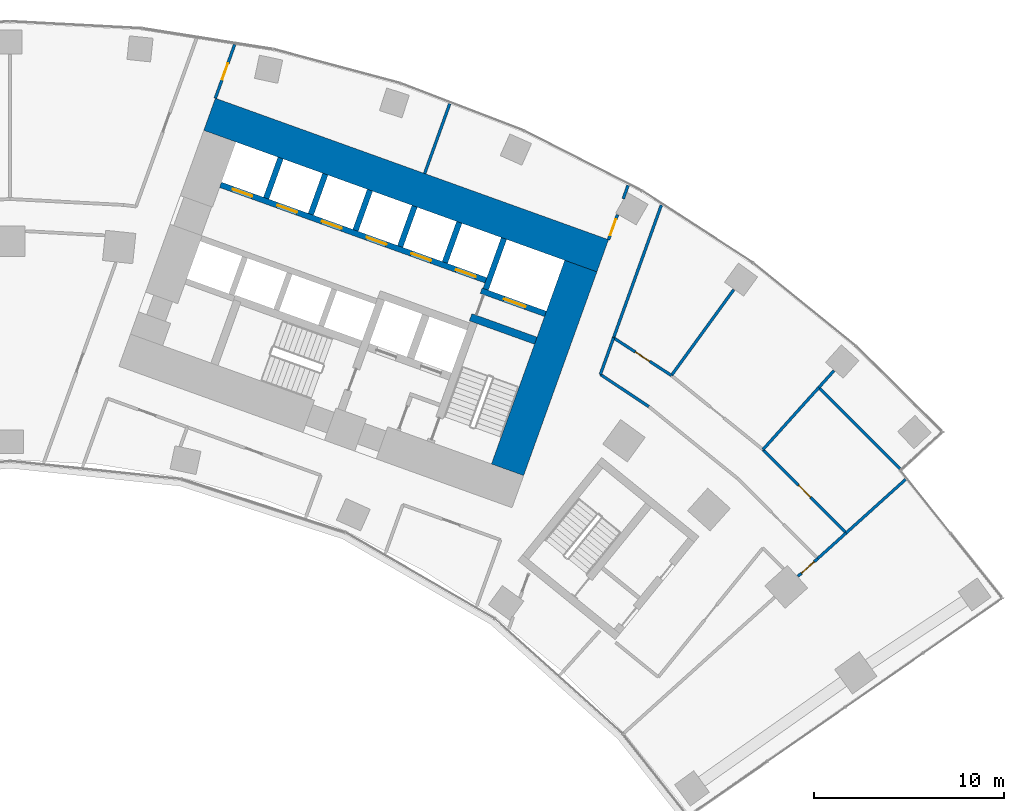
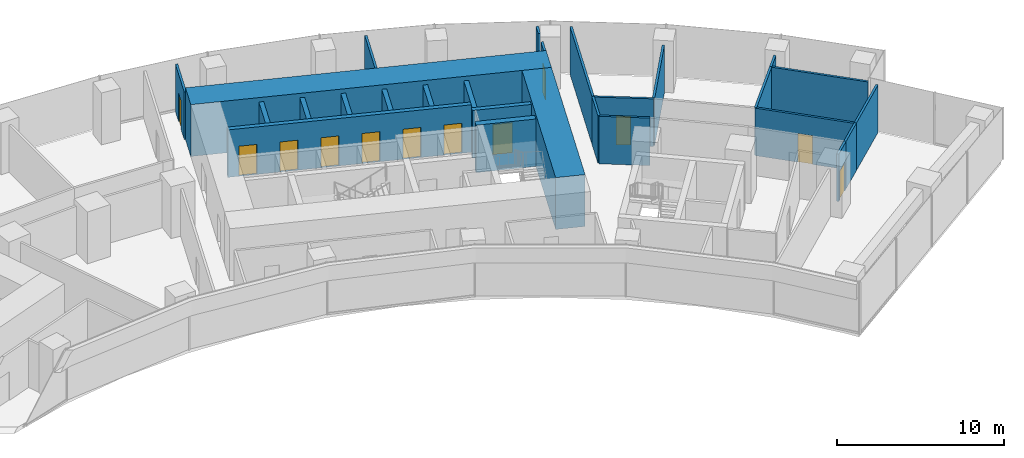
# One storey, part 18 of 21: 27 walls, 12 doors, 12 openings.
"""IFC4 building model written with IfcOpenShell, lengths in metres."""

from ifc_helpers import new_model, si_unit, direction, frame, frame_2d, origin, place, context, subcontext, project, spatial, rectangle, extrude, material, layer, layer_set, type_object, element, fill, save


model = new_model("IFC4")

# Units and contexts
model_context = context("Model", 3, precision=1e-05, world=origin(), true_north=direction((0.0, 1.0)))
body_context = subcontext(model_context, "Body", "Model", "MODEL_VIEW")
ifc_project = project(units=[si_unit("LENGTHUNIT", "METRE"), si_unit("AREAUNIT", "SQUARE_METRE"), si_unit("VOLUMEUNIT", "CUBIC_METRE"), si_unit("PLANEANGLEUNIT", "RADIAN"), si_unit("MASSUNIT", "GRAM", prefix="KILO")], contexts=[model_context])

# Site, building, storey
site_placement = place(None, origin())
site = spatial("IfcSite", under=ifc_project, at=site_placement, CompositionType="ELEMENT")
building_placement = place(site_placement, origin())
building = spatial("IfcBuilding", under=site, at=building_placement, Name="Stone Belt Terrace Tower", CompositionType="ELEMENT")
storey_placement = place(building_placement, frame((0.0, 0.0, 60.39990234375)))
storey = spatial("IfcBuildingStorey", under=building, at=storey_placement, Name="L14", CompositionType="ELEMENT", Elevation=60.39990234375)

# Walls
ifc_material_1 = material(Name="Concrete B80", Category="concrete")
ifc_layer_1 = layer(ifc_material_1, 1.800048828125)
ifc_layer_set_1 = layer_set([ifc_layer_1], Name="Core wall 1800 B80")
wall_type_1 = type_object("IfcWallType", Name="Core wall 1800 B80", PredefinedType="SHEAR", material=ifc_layer_set_1)
wall_1_placement = place(storey_placement, frame((10.509033203125, 61.685546875, 0.0), z_axis=(0.0, 0.0, 1.0), x_axis=(0.940922914687, -0.338620833112, 0.0)))
element("IfcWall", 1, at=wall_1_placement, inside=storey, type_object=wall_type_1, Name="Core B wall convex L14", PredefinedType="SHEAR", context=body_context, shape_type="SweptSolid", body=[
    extrude(rectangle(XDim=22.000244140625, YDim=1.800048828125, at=frame_2d((11.0, 0.0))), origin(), (0.0, 0.0, 1.0), 3.800048828125),
])
wall_2_placement = place(storey_placement, frame((26.197509765625, 42.96728515625, 0.0), z_axis=(0.0, 0.0, 1.0), x_axis=(0.338625431531, 0.940921259788, 0.0)))
element("IfcWall", 2, at=wall_2_placement, inside=storey, type_object=wall_type_1, Name="Core B wall end_b L14", PredefinedType="SHEAR", context=body_context, shape_type="SweptSolid", body=[
    extrude(rectangle(XDim=11.400146484375, YDim=1.800048828125, at=frame_2d((5.7001953125, 0.0))), origin(), (0.0, 0.0, 1.0), 3.800048828125),
])

# Wall, opening, door
ifc_layer_2 = layer(ifc_material_1, 0.300048828125)
ifc_layer_set_2 = layer_set([ifc_layer_2], Name="Lift shaft wall 300")
wall_type_2 = type_object("IfcWallType", Name="Lift shaft wall 300", PredefinedType="SHEAR", material=ifc_layer_set_2)
wall_3_placement = place(storey_placement, frame((28.195068359375, 51.17578125, 0.0), z_axis=(0.0, 0.0, 1.0), x_axis=(-0.940901243567, 0.338681044427, 0.0)))
wall_3 = element("IfcWall", 3, at=wall_3_placement, inside=storey, type_object=wall_type_2, Name="Core B wall", PredefinedType="SHEAR", context=body_context, shape_type="SweptSolid", body=[
    extrude(rectangle(XDim=3.599853515625, YDim=0.300048828125, at=frame_2d((1.7998046875, 0.0))), origin(), (0.0, 0.0, 1.0), 3.47998046875),
])
opening_1_placement = place(wall_3_placement, frame((1.1201171875, 0.0, 0.0)))
opening_1 = element("IfcOpeningElement", 4, at=opening_1_placement, cuts=wall_3, Name="Opening L14-LD18", PredefinedType="OPENING", context=body_context, shape_type="SweptSolid", body=[
    extrude(rectangle(XDim=1.199951171875, YDim=2.199951171875, at=frame_2d((0.60009765625, 1.10009765625))), frame((0.0, 0.159912109375, 0.0), z_axis=(0.0, -1.0, 0.0), x_axis=(1.0, 0.0, 0.0)), (0.0, 0.0, 1.0), 0.320068359375),
])
ifc_material_2 = material(Name="Stainless steel door leaf", Category="steel")
door_type_1 = type_object("IfcDoorType", Name="Landing door 1200", OperationType="SLIDING_TO_LEFT", PredefinedType="DOOR", material=ifc_material_2)
door_1_placement = place(opening_1_placement, origin())
door_1 = element("IfcDoor", 5, at=door_1_placement, inside=storey, type_object=door_type_1, Name="Landing door SV1 core B", OperationType="SLIDING_TO_LEFT", OverallHeight=2.199951171875, OverallWidth=1.199951171875, PredefinedType="DOOR", context=body_context, shape_type="SweptSolid", body=[
    extrude(rectangle(XDim=1.199951171875, YDim=2.199951171875, at=frame_2d((0.60009765625, 1.10009765625))), frame((0.0, 0.02490234375, 0.0), z_axis=(0.0, -1.0, 0.0), x_axis=(1.0, 0.0, 0.0)), (0.0, 0.0, 1.0), 0.050048828125),
])
fill(opening_1, door_1)

# Wall
wall_4_placement = place(storey_placement, frame((25.046875, 52.46826171875, 0.0), z_axis=(0.0, 0.0, 1.0), x_axis=(0.338549588058, 0.940948551423, 0.0)))
element("IfcWall", 6, at=wall_4_placement, inside=storey, type_object=wall_type_2, Name="Core B wall", PredefinedType="SHEAR", context=body_context, shape_type="SweptSolid", body=[
    extrude(rectangle(XDim=2.849853515625, YDim=0.300048828125, at=frame_2d((1.4248046875, 0.0))), origin(), (0.0, 0.0, 1.0), 3.47998046875),
])

# Wall, openings, doors
wall_5_placement = place(storey_placement, frame((25.05810546875, 52.9423828125, 0.0), z_axis=(0.0, 0.0, 1.0), x_axis=(-0.940918215764, 0.338633889685, 0.0)))
wall_5 = element("IfcWall", 7, at=wall_5_placement, inside=storey, type_object=wall_type_2, Name="Core B wall", PredefinedType="SHEAR", context=body_context, shape_type="SweptSolid", body=[
    extrude(rectangle(XDim=14.850341796875, YDim=0.300048828125, at=frame_2d((7.42529296875, 0.0))), origin(), (0.0, 0.0, 1.0), 3.47998046875),
])
opening_2_placement = place(wall_5_placement, frame((0.570068359375, 0.0, 0.0)))
opening_2 = element("IfcOpeningElement", 8, at=opening_2_placement, cuts=wall_5, Name="Opening L14-LD10", PredefinedType="OPENING", context=body_context, shape_type="SweptSolid", body=[
    extrude(rectangle(XDim=1.10009765625, YDim=2.199951171875, at=frame_2d((0.550048828125, 1.10009765625))), frame((0.0, 0.159912109375, 0.0), z_axis=(0.0, -1.0, 0.0), x_axis=(1.0, 0.0, 0.0)), (0.0, 0.0, 1.0), 0.320068359375),
])
opening_3_placement = place(wall_5_placement, frame((3.070068359375, 0.0, 0.0)))
opening_3 = element("IfcOpeningElement", 9, at=opening_3_placement, cuts=wall_5, Name="Opening L14-LD11", PredefinedType="OPENING", context=body_context, shape_type="SweptSolid", body=[
    extrude(rectangle(XDim=1.10009765625, YDim=2.199951171875, at=frame_2d((0.550048828125, 1.10009765625))), frame((0.0, 0.159912109375, 0.0), z_axis=(0.0, -1.0, 0.0), x_axis=(1.0, 0.0, 0.0)), (0.0, 0.0, 1.0), 0.320068359375),
])
opening_4_placement = place(wall_5_placement, frame((5.570068359375, 0.0, 0.0)))
opening_4 = element("IfcOpeningElement", 10, at=opening_4_placement, cuts=wall_5, Name="Opening L14-LD12", PredefinedType="OPENING", context=body_context, shape_type="SweptSolid", body=[
    extrude(rectangle(XDim=1.10009765625, YDim=2.199951171875, at=frame_2d((0.550048828125, 1.10009765625))), frame((0.0, 0.159912109375, 0.0), z_axis=(0.0, -1.0, 0.0), x_axis=(1.0, 0.0, 0.0)), (0.0, 0.0, 1.0), 0.320068359375),
])
opening_5_placement = place(wall_5_placement, frame((8.070068359375, 0.0, 0.0)))
opening_5 = element("IfcOpeningElement", 11, at=opening_5_placement, cuts=wall_5, Name="Opening L14-LD13", PredefinedType="OPENING", context=body_context, shape_type="SweptSolid", body=[
    extrude(rectangle(XDim=1.10009765625, YDim=2.199951171875, at=frame_2d((0.550048828125, 1.10009765625))), frame((0.0, 0.159912109375, 0.0), z_axis=(0.0, -1.0, 0.0), x_axis=(1.0, 0.0, 0.0)), (0.0, 0.0, 1.0), 0.320068359375),
])
opening_6_placement = place(wall_5_placement, frame((10.570068359375, 0.0, 0.0)))
opening_6 = element("IfcOpeningElement", 12, at=opening_6_placement, cuts=wall_5, Name="Opening L14-LD14", PredefinedType="OPENING", context=body_context, shape_type="SweptSolid", body=[
    extrude(rectangle(XDim=1.10009765625, YDim=2.199951171875, at=frame_2d((0.550048828125, 1.10009765625))), frame((0.0, 0.159912109375, 0.0), z_axis=(0.0, -1.0, 0.0), x_axis=(1.0, 0.0, 0.0)), (0.0, 0.0, 1.0), 0.320068359375),
])
opening_7_placement = place(wall_5_placement, frame((13.070068359375, 0.0, 0.0)))
opening_7 = element("IfcOpeningElement", 13, at=opening_7_placement, cuts=wall_5, Name="Opening L14-LD15", PredefinedType="OPENING", context=body_context, shape_type="SweptSolid", body=[
    extrude(rectangle(XDim=1.10009765625, YDim=2.199951171875, at=frame_2d((0.550048828125, 1.10009765625))), frame((0.0, 0.159912109375, 0.0), z_axis=(0.0, -1.0, 0.0), x_axis=(1.0, 0.0, 0.0)), (0.0, 0.0, 1.0), 0.320068359375),
])
door_type_2 = type_object("IfcDoorType", Name="Landing door 1100", OperationType="SLIDING_TO_LEFT", PredefinedType="DOOR", material=ifc_material_2)
door_2_placement = place(opening_2_placement, origin())
door_2 = element("IfcDoor", 14, at=door_2_placement, inside=storey, type_object=door_type_2, Name="Landing door LR1 core B", OperationType="SLIDING_TO_LEFT", OverallHeight=2.199951171875, OverallWidth=1.10009765625, PredefinedType="DOOR", context=body_context, shape_type="SweptSolid", body=[
    extrude(rectangle(XDim=1.10009765625, YDim=2.199951171875, at=frame_2d((0.550048828125, 1.10009765625))), frame((0.0, 0.02490234375, 0.0), z_axis=(0.0, -1.0, 0.0), x_axis=(1.0, 0.0, 0.0)), (0.0, 0.0, 1.0), 0.050048828125),
])
fill(opening_2, door_2)
door_3_placement = place(opening_3_placement, origin())
door_3 = element("IfcDoor", 15, at=door_3_placement, inside=storey, type_object=door_type_2, Name="Landing door LR2 core B", OperationType="SLIDING_TO_LEFT", OverallHeight=2.199951171875, OverallWidth=1.10009765625, PredefinedType="DOOR", context=body_context, shape_type="SweptSolid", body=[
    extrude(rectangle(XDim=1.10009765625, YDim=2.199951171875, at=frame_2d((0.550048828125, 1.10009765625))), frame((0.0, 0.02490234375, 0.0), z_axis=(0.0, -1.0, 0.0), x_axis=(1.0, 0.0, 0.0)), (0.0, 0.0, 1.0), 0.050048828125),
])
fill(opening_3, door_3)
door_4_placement = place(opening_4_placement, origin())
door_4 = element("IfcDoor", 16, at=door_4_placement, inside=storey, type_object=door_type_2, Name="Landing door LR3 core B", OperationType="SLIDING_TO_LEFT", OverallHeight=2.199951171875, OverallWidth=1.10009765625, PredefinedType="DOOR", context=body_context, shape_type="SweptSolid", body=[
    extrude(rectangle(XDim=1.10009765625, YDim=2.199951171875, at=frame_2d((0.550048828125, 1.10009765625))), frame((0.0, 0.02490234375, 0.0), z_axis=(0.0, -1.0, 0.0), x_axis=(1.0, 0.0, 0.0)), (0.0, 0.0, 1.0), 0.050048828125),
])
fill(opening_4, door_4)
door_5_placement = place(opening_5_placement, origin())
door_5 = element("IfcDoor", 17, at=door_5_placement, inside=storey, type_object=door_type_2, Name="Landing door LR4 core B", OperationType="SLIDING_TO_LEFT", OverallHeight=2.199951171875, OverallWidth=1.10009765625, PredefinedType="DOOR", context=body_context, shape_type="SweptSolid", body=[
    extrude(rectangle(XDim=1.10009765625, YDim=2.199951171875, at=frame_2d((0.550048828125, 1.10009765625))), frame((0.0, 0.02490234375, 0.0), z_axis=(0.0, -1.0, 0.0), x_axis=(1.0, 0.0, 0.0)), (0.0, 0.0, 1.0), 0.050048828125),
])
fill(opening_5, door_5)
door_6_placement = place(opening_6_placement, origin())
door_6 = element("IfcDoor", 18, at=door_6_placement, inside=storey, type_object=door_type_2, Name="Landing door LR5 core B", OperationType="SLIDING_TO_LEFT", OverallHeight=2.199951171875, OverallWidth=1.10009765625, PredefinedType="DOOR", context=body_context, shape_type="SweptSolid", body=[
    extrude(rectangle(XDim=1.10009765625, YDim=2.199951171875, at=frame_2d((0.550048828125, 1.10009765625))), frame((0.0, 0.02490234375, 0.0), z_axis=(0.0, -1.0, 0.0), x_axis=(1.0, 0.0, 0.0)), (0.0, 0.0, 1.0), 0.050048828125),
])
fill(opening_6, door_6)
door_7_placement = place(opening_7_placement, origin())
door_7 = element("IfcDoor", 19, at=door_7_placement, inside=storey, type_object=door_type_2, Name="Landing door LR6 core B", OperationType="SLIDING_TO_LEFT", OverallHeight=2.199951171875, OverallWidth=1.10009765625, PredefinedType="DOOR", context=body_context, shape_type="SweptSolid", body=[
    extrude(rectangle(XDim=1.10009765625, YDim=2.199951171875, at=frame_2d((0.550048828125, 1.10009765625))), frame((0.0, 0.02490234375, 0.0), z_axis=(0.0, -1.0, 0.0), x_axis=(1.0, 0.0, 0.0)), (0.0, 0.0, 1.0), 0.050048828125),
])
fill(opening_7, door_7)

# Walls
wall_6_placement = place(storey_placement, frame((22.897705078125, 53.87939453125, 0.0), z_axis=(0.0, 0.0, 1.0), x_axis=(0.338535034312, 0.940953787677, 0.0)))
element("IfcWall", 20, at=wall_6_placement, inside=storey, type_object=wall_type_2, Name="Core B wall", PredefinedType="SHEAR", context=body_context, shape_type="SweptSolid", body=[
    extrude(rectangle(XDim=2.25, YDim=0.300048828125, at=frame_2d((1.125, 0.0))), origin(), (0.0, 0.0, 1.0), 3.47998046875),
])
wall_7_placement = place(storey_placement, frame((20.54541015625, 54.72607421875, 0.0), z_axis=(0.0, 0.0, 1.0), x_axis=(0.338569601369, 0.940941350472, 0.0)))
element("IfcWall", 21, at=wall_7_placement, inside=storey, type_object=wall_type_2, Name="Core B wall", PredefinedType="SHEAR", context=body_context, shape_type="SweptSolid", body=[
    extrude(rectangle(XDim=2.249755859375, YDim=0.300048828125, at=frame_2d((1.125, 0.0))), origin(), (0.0, 0.0, 1.0), 3.47998046875),
])
wall_8_placement = place(storey_placement, frame((18.193115234375, 55.572509765625, 0.0), z_axis=(0.0, 0.0, 1.0), x_axis=(0.338535034312, 0.940953787677, 0.0)))
element("IfcWall", 22, at=wall_8_placement, inside=storey, type_object=wall_type_2, Name="Core B wall", PredefinedType="SHEAR", context=body_context, shape_type="SweptSolid", body=[
    extrude(rectangle(XDim=2.25, YDim=0.300048828125, at=frame_2d((1.125, 0.0))), origin(), (0.0, 0.0, 1.0), 3.47998046875),
])
wall_9_placement = place(storey_placement, frame((15.8408203125, 56.419189453125, 0.0), z_axis=(0.0, 0.0, 1.0), x_axis=(0.338569601369, 0.940941350472, 0.0)))
element("IfcWall", 23, at=wall_9_placement, inside=storey, type_object=wall_type_2, Name="Core B wall", PredefinedType="SHEAR", context=body_context, shape_type="SweptSolid", body=[
    extrude(rectangle(XDim=2.249755859375, YDim=0.300048828125, at=frame_2d((1.125, 0.0))), origin(), (0.0, 0.0, 1.0), 3.47998046875),
])
wall_10_placement = place(storey_placement, frame((13.48828125, 57.265625, 0.0), z_axis=(0.0, 0.0, 1.0), x_axis=(0.338631098537, 0.940919220286, 0.0)))
element("IfcWall", 24, at=wall_10_placement, inside=storey, type_object=wall_type_2, Name="Core B wall", PredefinedType="SHEAR", context=body_context, shape_type="SweptSolid", body=[
    extrude(rectangle(XDim=2.250244140625, YDim=0.300048828125, at=frame_2d((1.125, 0.0))), origin(), (0.0, 0.0, 1.0), 3.47998046875),
])

# Wall, opening, door
ifc_material_3 = material(Name="Gypsum board partition")
ifc_layer_3 = layer(ifc_material_3, 0.14990234375)
ifc_layer_set_3 = layer_set([ifc_layer_3], Name="PARTITION 150 EI 60")
wall_type_3 = type_object("IfcWallType", Name="PARTITION 150 EI 60", PredefinedType="PARTITIONING", material=ifc_layer_set_3)
wall_11_placement = place(storey_placement, frame((11.831787109375, 65.361083984375, 0.0), z_axis=(0.0, 0.0, 1.0), x_axis=(-0.338526810165, -0.940956746508, 0.0)))
wall_11 = element("IfcWall", 25, at=wall_11_placement, inside=storey, type_object=wall_type_3, Name="L14/wall/i020", PredefinedType="PARTITIONING", context=body_context, shape_type="SweptSolid", body=[
    extrude(rectangle(XDim=3.006591796875, YDim=0.14990234375, at=frame_2d((1.50341796875, 0.0))), origin(), (0.0, 0.0, 1.0), 3.47998046875),
])
opening_8_placement = place(wall_11_placement, frame((1.05322265625, 0.0, 0.0)))
opening_8 = element("IfcOpeningElement", 26, at=opening_8_placement, cuts=wall_11, Name="Opening D-A4-10", PredefinedType="OPENING", context=body_context, shape_type="SweptSolid", body=[
    extrude(rectangle(XDim=0.89990234375, YDim=2.10009765625, at=frame_2d((0.449951171875, 1.050048828125))), frame((0.0, 0.0849609375, 0.0), z_axis=(0.0, -1.0, 0.0), x_axis=(1.0, 0.0, 0.0)), (0.0, 0.0, 1.0), 0.169921875),
])
ifc_material_4 = material(Name="Timber door leaf", Category="wood")
door_type_3 = type_object("IfcDoorType", Name="OFFICE DOOR 900 X 2100", OperationType="NOTDEFINED", PredefinedType="DOOR", material=ifc_material_4)
door_8_placement = place(opening_8_placement, origin())
door_8 = element("IfcDoor", 27, at=door_8_placement, inside=storey, type_object=door_type_3, Name="L14/door/i10", OperationType="SINGLE_SWING_RIGHT", OverallHeight=2.10009765625, OverallWidth=0.89990234375, PredefinedType="DOOR", context=body_context, shape_type="SweptSolid", body=[
    extrude(rectangle(XDim=0.89990234375, YDim=2.10009765625, at=frame_2d((0.449951171875, 1.050048828125))), frame((0.0, 0.02490234375, 0.0), z_axis=(0.0, -1.0, 0.0), x_axis=(1.0, 0.0, 0.0)), (0.0, 0.0, 1.0), 0.050048828125),
])
fill(opening_8, door_8)

wall_12_placement = place(storey_placement, frame((31.513916015625, 55.0830078125, 0.0), z_axis=(0.0, 0.0, 1.0), x_axis=(0.338861945182, 0.940836107995, 0.0)))
wall_12 = element("IfcWall", 28, at=wall_12_placement, inside=storey, type_object=wall_type_3, Name="L14/wall/i024", PredefinedType="PARTITIONING", context=body_context, shape_type="SweptSolid", body=[
    extrude(rectangle(XDim=1.3955078125, YDim=0.14990234375, at=frame_2d((0.69775390625, 0.0))), origin(), (0.0, 0.0, 1.0), 3.47998046875),
])
opening_9_placement = place(wall_12_placement, frame((0.247802734375, 0.0, 0.0)))
opening_9 = element("IfcOpeningElement", 29, at=opening_9_placement, cuts=wall_12, Name="Opening D-A4-11", PredefinedType="OPENING", context=body_context, shape_type="SweptSolid", body=[
    extrude(rectangle(XDim=0.89990234375, YDim=2.10009765625, at=frame_2d((0.449951171875, 1.050048828125))), frame((0.0, 0.0849609375, 0.0), z_axis=(0.0, -1.0, 0.0), x_axis=(1.0, 0.0, 0.0)), (0.0, 0.0, 1.0), 0.169921875),
])
door_9_placement = place(opening_9_placement, origin())
door_9 = element("IfcDoor", 30, at=door_9_placement, inside=storey, type_object=door_type_3, Name="L14/door/i11", OperationType="SINGLE_SWING_RIGHT", OverallHeight=2.10009765625, OverallWidth=0.89990234375, PredefinedType="DOOR", context=body_context, shape_type="SweptSolid", body=[
    extrude(rectangle(XDim=0.89990234375, YDim=2.10009765625, at=frame_2d((0.449951171875, 1.050048828125))), frame((0.0, 0.02490234375, 0.0), z_axis=(0.0, -1.0, 0.0), x_axis=(1.0, 0.0, 0.0)), (0.0, 0.0, 1.0), 0.050048828125),
])
fill(opening_9, door_9)

# Walls
wall_13_placement = place(storey_placement, frame((32.290283203125, 57.238525390625, 0.0), z_axis=(0.0, 0.0, 1.0), x_axis=(0.338960201827, 0.940800712998, 0.0)))
element("IfcWall", 31, at=wall_13_placement, inside=storey, type_object=wall_type_3, Name="L14/wall/i025", PredefinedType="PARTITIONING", context=body_context, shape_type="SweptSolid", body=[
    extrude(rectangle(XDim=0.754150390625, YDim=0.14990234375, at=frame_2d((0.376953125, 0.0))), origin(), (0.0, 0.0, 1.0), 3.47998046875),
])
wall_14_placement = place(storey_placement, frame((31.781982421875, 49.922119140625, 0.0), z_axis=(0.0, 0.0, 1.0), x_axis=(-0.338669131868, -0.940905531454, 0.0)))
element("IfcWall", 32, at=wall_14_placement, inside=storey, type_object=wall_type_3, Name="L14/wall/i028", PredefinedType="PARTITIONING", context=body_context, shape_type="SweptSolid", body=[
    extrude(rectangle(XDim=2.06103515625, YDim=0.14990234375, at=frame_2d((1.030517578125, 0.0))), origin(), (0.0, 0.0, 1.0), 3.47998046875),
])
wall_15_placement = place(storey_placement, frame((34.298095703125, 56.91015625, 0.0), z_axis=(0.0, 0.0, 1.0), x_axis=(-0.338711334353, -0.94089034004, 0.0)))
element("IfcWall", 33, at=wall_15_placement, inside=storey, type_object=wall_type_3, Name="L14/wall/i029", PredefinedType="PARTITIONING", context=body_context, shape_type="SweptSolid", body=[
    extrude(rectangle(XDim=7.43994140625, YDim=0.14990234375, at=frame_2d((3.719970703125, 0.0))), origin(), (0.0, 0.0, 1.0), 3.47998046875),
])
wall_16_placement = place(storey_placement, frame((23.15673828125, 62.244140625, 0.0), z_axis=(0.0, 0.0, 1.0), x_axis=(-0.338480536661, -0.940973392983, 0.0)))
element("IfcWall", 34, at=wall_16_placement, inside=storey, type_object=wall_type_3, Name="L14/wall/i036", PredefinedType="PARTITIONING", context=body_context, shape_type="SweptSolid", body=[
    extrude(rectangle(XDim=3.907958984375, YDim=0.14990234375, at=frame_2d((1.9541015625, 0.0))), origin(), (0.0, 0.0, 1.0), 3.47998046875),
])

# Wall, opening, door
wall_17_placement = place(storey_placement, frame((42.530029296875, 38.294921875, 0.0), z_axis=(0.0, 0.0, 1.0), x_axis=(-0.742938582599, -0.669359591316, 0.0)))
wall_17 = element("IfcWall", 35, at=wall_17_placement, inside=storey, type_object=wall_type_3, Name="L14/wall/i059", PredefinedType="PARTITIONING", context=body_context, shape_type="SweptSolid", body=[
    extrude(rectangle(XDim=1.400146484375, YDim=0.14990234375, at=frame_2d((0.7001953125, 0.0))), origin(), (0.0, 0.0, 1.0), 3.47998046875),
])
opening_10_placement = place(wall_17_placement, frame((0.250244140625, 0.0, 0.0)))
opening_10 = element("IfcOpeningElement", 36, at=opening_10_placement, cuts=wall_17, Name="Opening D-A4-21", PredefinedType="OPENING", context=body_context, shape_type="SweptSolid", body=[
    extrude(rectangle(XDim=0.89990234375, YDim=2.10009765625, at=frame_2d((0.449951171875, 1.050048828125))), frame((0.0, 0.0849609375, 0.0), z_axis=(0.0, -1.0, 0.0), x_axis=(1.0, 0.0, 0.0)), (0.0, 0.0, 1.0), 0.169921875),
])
ifc_material_5 = material(Name="Timber fire door leaf", Category="wood")
door_type_4 = type_object("IfcDoorType", Name="TENANCY ENTRANCE DOOR 900 X 2100", OperationType="NOTDEFINED", PredefinedType="DOOR", material=ifc_material_5)
door_10_placement = place(opening_10_placement, origin())
door_10 = element("IfcDoor", 37, at=door_10_placement, inside=storey, type_object=door_type_4, Name="L14/door/i21", OperationType="SINGLE_SWING_RIGHT", OverallHeight=2.10009765625, OverallWidth=0.89990234375, PredefinedType="DOOR", context=body_context, shape_type="SweptSolid", body=[
    extrude(rectangle(XDim=0.89990234375, YDim=2.10009765625, at=frame_2d((0.449951171875, 1.050048828125))), frame((0.0, 0.02490234375, 0.0), z_axis=(0.0, -1.0, 0.0), x_axis=(1.0, 0.0, 0.0)), (0.0, 0.0, 1.0), 0.050048828125),
])
fill(opening_10, door_10)

# Walls
wall_18_placement = place(storey_placement, frame((42.52197265625, 38.287109375, 0.0), z_axis=(0.0, 0.0, 1.0), x_axis=(0.743252398614, 0.66901111497, 0.0)))
element("IfcWall", 38, at=wall_18_placement, inside=storey, type_object=wall_type_3, Name="L14/wall/i061", PredefinedType="PARTITIONING", context=body_context, shape_type="SweptSolid", body=[
    extrude(rectangle(XDim=2.03564453125, YDim=0.14990234375, at=frame_2d((1.017822265625, 0.0))), origin(), (0.0, 0.0, 1.0), 3.47998046875),
])
wall_19_placement = place(storey_placement, frame((44.02587890625, 39.64208984375, 0.0), z_axis=(0.0, 0.0, 1.0), x_axis=(0.743199184027, 0.669070230142, 0.0)))
element("IfcWall", 39, at=wall_19_placement, inside=storey, type_object=wall_type_3, Name="L14/wall/i062", PredefinedType="PARTITIONING", context=body_context, shape_type="SweptSolid", body=[
    extrude(rectangle(XDim=4.218994140625, YDim=0.14990234375, at=frame_2d((2.109375, 0.0))), origin(), (0.0, 0.0, 1.0), 3.47998046875),
])
wall_20_placement = place(storey_placement, frame((31.0859375, 47.988037109375, 0.0), z_axis=(0.0, 0.0, 1.0), x_axis=(0.833238850842, -0.552913209688, 0.0)))
element("IfcWall", 40, at=wall_20_placement, inside=storey, type_object=wall_type_3, Name="L14/wall/i064", PredefinedType="PARTITIONING", context=body_context, shape_type="SweptSolid", body=[
    extrude(rectangle(XDim=3.060302734375, YDim=0.14990234375, at=frame_2d((1.5302734375, 0.0))), origin(), (0.0, 0.0, 1.0), 3.47998046875),
])

# Wall, opening, door
wall_21_placement = place(storey_placement, frame((31.780029296875, 49.916015625, 0.0), z_axis=(0.0, 0.0, 1.0), x_axis=(0.838179507416, -0.545394456653, 0.0)))
wall_21 = element("IfcWall", 41, at=wall_21_placement, inside=storey, type_object=wall_type_3, Name="L14/wall/i070", PredefinedType="PARTITIONING", context=body_context, shape_type="SweptSolid", body=[
    extrude(rectangle(XDim=3.634033203125, YDim=0.14990234375, at=frame_2d((1.81689453125, 0.0))), origin(), (0.0, 0.0, 1.0), 3.47998046875),
])
opening_11_placement = place(wall_21_placement, frame((1.366943359375, 0.0, 0.0)))
opening_11 = element("IfcOpeningElement", 42, at=opening_11_placement, cuts=wall_21, Name="Opening D-A4-25", PredefinedType="OPENING", context=body_context, shape_type="SweptSolid", body=[
    extrude(rectangle(XDim=0.89990234375, YDim=2.10009765625, at=frame_2d((0.449951171875, 1.050048828125))), frame((0.0, 0.0849609375, 0.0), z_axis=(0.0, -1.0, 0.0), x_axis=(1.0, 0.0, 0.0)), (0.0, 0.0, 1.0), 0.169921875),
])
door_11_placement = place(opening_11_placement, origin())
door_11 = element("IfcDoor", 43, at=door_11_placement, inside=storey, type_object=door_type_3, Name="L14/door/i25", OperationType="SINGLE_SWING_RIGHT", OverallHeight=2.10009765625, OverallWidth=0.89990234375, PredefinedType="DOOR", context=body_context, shape_type="SweptSolid", body=[
    extrude(rectangle(XDim=0.89990234375, YDim=2.10009765625, at=frame_2d((0.449951171875, 1.050048828125))), frame((0.0, 0.02490234375, 0.0), z_axis=(0.0, -1.0, 0.0), x_axis=(1.0, 0.0, 0.0)), (0.0, 0.0, 1.0), 0.050048828125),
])
fill(opening_11, door_11)

wall_22_placement = place(storey_placement, frame((39.64501953125, 44.031005859375, 0.0), z_axis=(0.0, 0.0, 1.0), x_axis=(0.707106781187, -0.707106781187, 0.0)))
wall_22 = element("IfcWall", 44, at=wall_22_placement, inside=storey, type_object=wall_type_3, Name="L14/wall/i072", PredefinedType="PARTITIONING", context=body_context, shape_type="SweptSolid", body=[
    extrude(rectangle(XDim=6.201416015625, YDim=0.14990234375, at=frame_2d((3.1005859375, 0.0))), origin(), (0.0, 0.0, 1.0), 3.47998046875),
])
opening_12_placement = place(wall_22_placement, frame((2.650634765625, 0.0, 0.0)))
opening_12 = element("IfcOpeningElement", 45, at=opening_12_placement, cuts=wall_22, Name="Opening D-A4-27", PredefinedType="OPENING", context=body_context, shape_type="SweptSolid", body=[
    extrude(rectangle(XDim=0.89990234375, YDim=2.10009765625, at=frame_2d((0.449951171875, 1.050048828125))), frame((0.0, 0.0849609375, 0.0), z_axis=(0.0, -1.0, 0.0), x_axis=(1.0, 0.0, 0.0)), (0.0, 0.0, 1.0), 0.169921875),
])
door_12_placement = place(opening_12_placement, origin())
door_12 = element("IfcDoor", 46, at=door_12_placement, inside=storey, type_object=door_type_3, Name="L14/door/i27", OperationType="SINGLE_SWING_RIGHT", OverallHeight=2.10009765625, OverallWidth=0.89990234375, PredefinedType="DOOR", context=body_context, shape_type="SweptSolid", body=[
    extrude(rectangle(XDim=0.89990234375, YDim=2.10009765625, at=frame_2d((0.449951171875, 1.050048828125))), frame((0.0, 0.02490234375, 0.0), z_axis=(0.0, -1.0, 0.0), x_axis=(1.0, 0.0, 0.0)), (0.0, 0.0, 1.0), 0.050048828125),
])
fill(opening_12, door_12)

# Walls
wall_23_placement = place(storey_placement, frame((38.1083984375, 52.45166015625, 0.0), z_axis=(0.0, 0.0, 1.0), x_axis=(-0.587815499828, -0.80899501739, 0.0)))
element("IfcWall", 47, at=wall_23_placement, inside=storey, type_object=wall_type_3, Name="L14/wall/i073", PredefinedType="PARTITIONING", context=body_context, shape_type="SweptSolid", body=[
    extrude(rectangle(XDim=5.584228515625, YDim=0.14990234375, at=frame_2d((2.7919921875, 0.0))), origin(), (0.0, 0.0, 1.0), 3.47998046875),
])
wall_24_placement = place(storey_placement, frame((42.593017578125, 47.304931640625, 0.0), z_axis=(0.0, 0.0, 1.0), x_axis=(-0.669148410698, -0.743128793992, 0.0)))
element("IfcWall", 48, at=wall_24_placement, inside=storey, type_object=wall_type_3, Name="L14/wall/i074", PredefinedType="PARTITIONING", context=body_context, shape_type="SweptSolid", body=[
    extrude(rectangle(XDim=4.405517578125, YDim=0.14990234375, at=frame_2d((2.20263671875, 0.0))), origin(), (0.0, 0.0, 1.0), 3.47998046875),
])
wall_25_placement = place(storey_placement, frame((43.3818359375, 48.181396484375, 0.0), z_axis=(0.0, 0.0, 1.0), x_axis=(-0.669440512964, -0.742865667266, 0.0)))
element("IfcWall", 49, at=wall_25_placement, inside=storey, type_object=wall_type_3, Name="L14/wall/i075", PredefinedType="PARTITIONING", context=body_context, shape_type="SweptSolid", body=[
    extrude(rectangle(XDim=1.1904296875, YDim=0.14990234375, at=frame_2d((0.59521484375, 0.0))), origin(), (0.0, 0.0, 1.0), 3.47998046875),
])
wall_26_placement = place(storey_placement, frame((42.589111328125, 47.301025390625, 0.0), z_axis=(0.0, 0.0, 1.0), x_axis=(0.707106781187, -0.707106781187, 0.0)))
element("IfcWall", 50, at=wall_26_placement, inside=storey, type_object=wall_type_3, Name="L14/wall/i076", PredefinedType="PARTITIONING", context=body_context, shape_type="SweptSolid", body=[
    extrude(rectangle(XDim=6.059326171875, YDim=0.14990234375, at=frame_2d((3.02978515625, 0.0))), origin(), (0.0, 0.0, 1.0), 3.47998046875),
])
ifc_layer_4 = layer(ifc_material_1, 0.39990234375)
ifc_layer_set_4 = layer_set([ifc_layer_4], Name="Stair enclosure wall 400")
wall_type_4 = type_object("IfcWallType", Name="Stair enclosure wall 400", PredefinedType="SHEAR", material=ifc_layer_set_4)
wall_27_placement = place(storey_placement, frame((27.687255859375, 49.764404296875, 0.0), z_axis=(0.0, 0.0, 1.0), x_axis=(-0.940918954884, 0.338631835981, 0.0)))
element("IfcWall", 51, at=wall_27_placement, inside=storey, type_object=wall_type_4, Name="Core B wall", PredefinedType="SHEAR", context=body_context, shape_type="SweptSolid", body=[
    extrude(rectangle(XDim=3.650146484375, YDim=0.39990234375, at=frame_2d((1.8251953125, 0.0))), origin(), (0.0, 0.0, 1.0), 3.47998046875),
])

save(model, "model.ifc")
